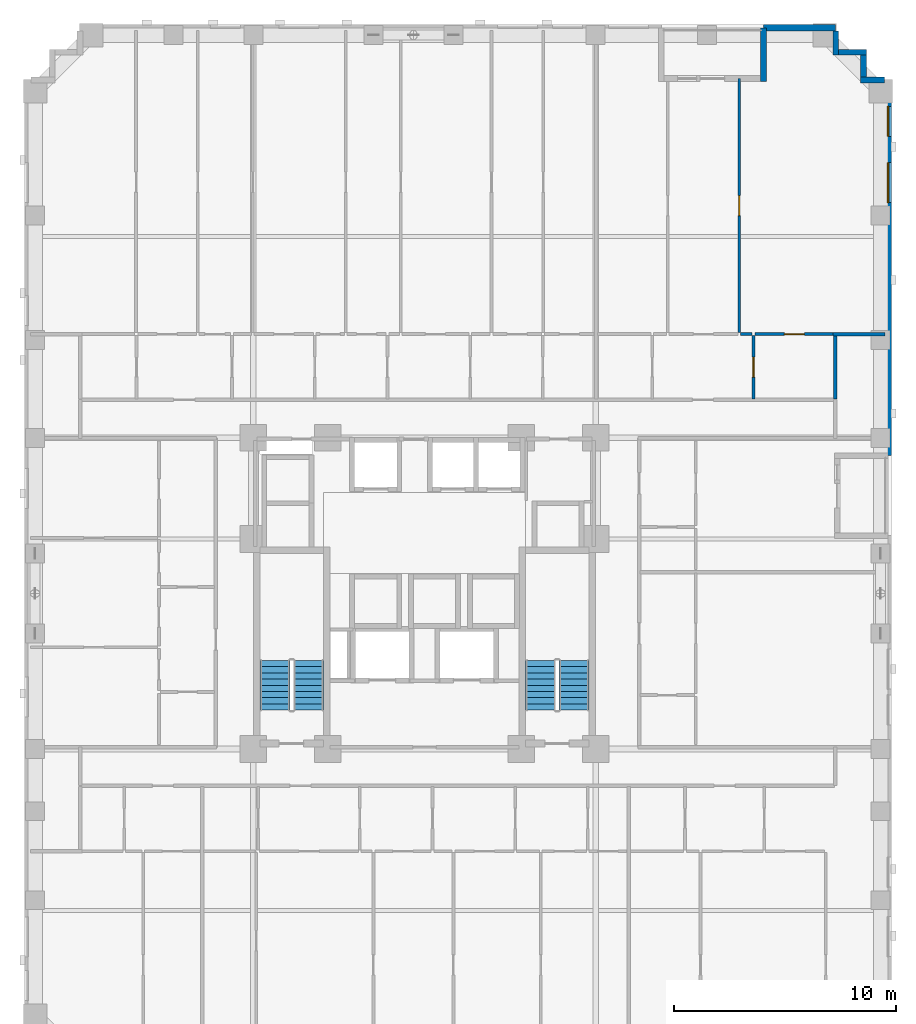
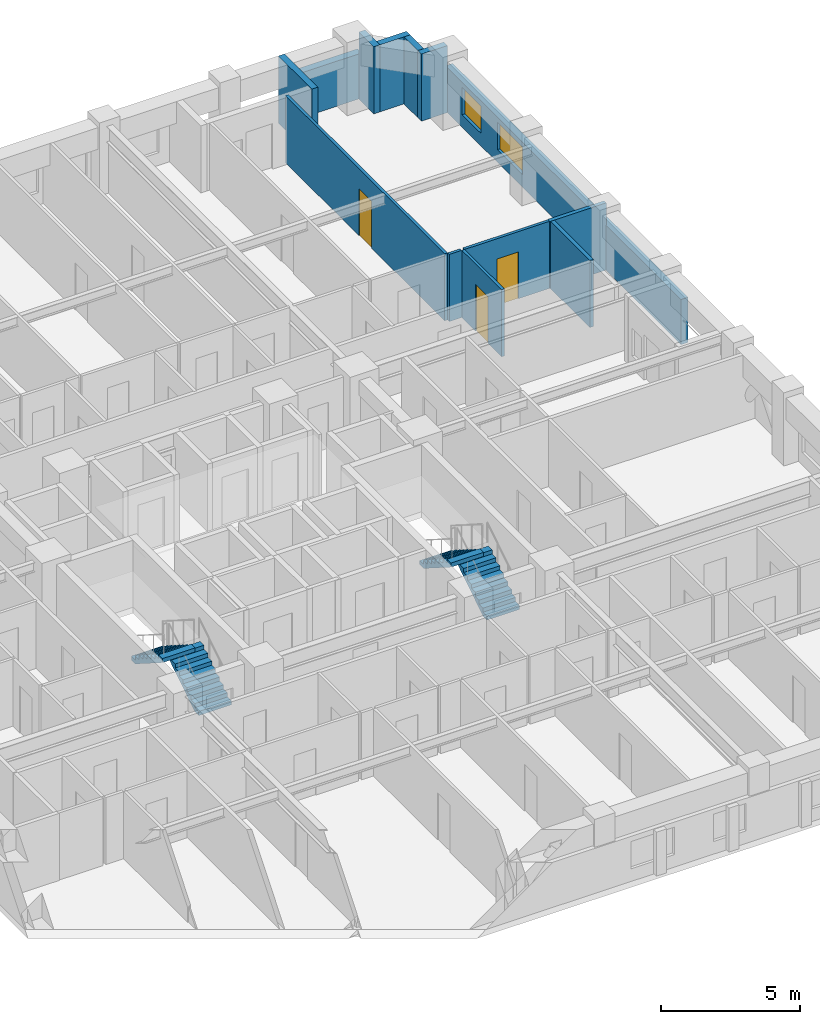
# One storey, part 9 of 14: 13 walls, 4 stair flights, 3 doors, 2 windows, 5 openings, 2 elements without a shape of their own.
"""IFC4 building model written with IfcOpenShell, lengths in metres."""

import ifcopenshell
import ifcopenshell.guid

model = None  # the IFC model being written
_history = None  # IfcOwnerHistory: only IFC2X3 demands one
_inside = {}  # id of a spatial element -> (the spatial element, [elements in it])
_under = {}  # id of a project, library or spatial element -> (it, [spatial elements below it])
_declared = {}  # id of a project -> (the project, [libraries it declares])
_typed = {}  # id of a type object -> (the type object, [elements of that type])
_made_of = {}  # id of a material, layer set ... -> (it, [elements and type objects made of it])


def new_model(schema):
    """Start an empty IFC model of exactly this schema.

    Asked for "IFC4X3", IfcOpenShell would pick the latest addendum, in which some entities
    have other attributes; the version numbers below select the first issue.
    IFC2X3 requires an IfcOwnerHistory on every rooted entity: one is made here for all.
    """
    global model, _history
    if schema == "IFC4X3":
        model = ifcopenshell.file(schema_version=(4, 3, 0, 0))
    else:
        model = ifcopenshell.file(schema=schema)
    _inside.clear()
    _under.clear()
    _declared.clear()
    _typed.clear()
    _made_of.clear()
    _history = None
    if model.schema == "IFC2X3":
        org = make("IfcOrganization", Name="unknown")
        user = make(
            "IfcPersonAndOrganization",
            ThePerson=make("IfcPerson", FamilyName="unknown"),
            TheOrganization=org,
        )
        app = make(
            "IfcApplication",
            ApplicationDeveloper=org,
            Version="unknown",
            ApplicationFullName="unknown",
            ApplicationIdentifier="unknown",
        )
        _history = make(
            "IfcOwnerHistory",
            OwningUser=user,
            OwningApplication=app,
            ChangeAction="ADDED",
            CreationDate=0,
        )
    return model


def make(cls, **values):
    """One entity of the class cls with the attributes given. An attribute that is None is left unset."""
    return model.create_entity(
        cls, **{name: value for name, value in values.items() if value is not None}
    )


def rooted(cls, **values):
    """An entity with a GlobalId (a new one), such as an element, a storey or a relation."""
    return make(cls, GlobalId=ifcopenshell.guid.new(), OwnerHistory=_history, **values)


def si_unit(unit_type, name, prefix=None):
    """IfcSIUnit, for example si_unit("LENGTHUNIT", "METRE", prefix="MILLI")."""
    return make("IfcSIUnit", UnitType=unit_type, Prefix=prefix, Name=name)


def derived_unit(unit_type, elements):
    """IfcDerivedUnit: a product of units, each with its exponent."""
    return make(
        "IfcDerivedUnit",
        Elements=[
            make("IfcDerivedUnitElement", Unit=unit, Exponent=power)
            for unit, power in elements
        ],
        UnitType=unit_type,
    )


def assignment(units):
    """IfcUnitAssignment: the units of a project."""
    return None if units is None else make("IfcUnitAssignment", Units=units)


def point(xyz):
    """IfcCartesianPoint."""
    return None if xyz is None else make("IfcCartesianPoint", Coordinates=xyz)


def direction(xyz):
    """IfcDirection."""
    return None if xyz is None else make("IfcDirection", DirectionRatios=xyz)


def frame(location, z_axis=None, x_axis=None):
    """IfcAxis2Placement3D, a coordinate frame: its origin and axes. An axis left out is left unset."""
    return make(
        "IfcAxis2Placement3D",
        Location=point(location),
        Axis=direction(z_axis),
        RefDirection=direction(x_axis),
    )


def frame_2d(location, x_axis=None):
    """IfcAxis2Placement2D, a coordinate frame in the plane: its origin and x axis."""
    return make(
        "IfcAxis2Placement2D", Location=point(location), RefDirection=direction(x_axis)
    )


def origin():
    """The frame at (0, 0, 0) with its axes left unset."""
    return frame((0.0, 0.0, 0.0))


def place(relative_to, where):
    """IfcLocalPlacement: puts the frame where relative to a parent placement (None: the world)."""
    return make(
        "IfcLocalPlacement", PlacementRelTo=relative_to, RelativePlacement=where
    )


def context(
    kind, dimensions, precision=None, world=None, true_north=None, identifier=None
):
    """IfcGeometricRepresentationContext, for example the 3D "Model" context."""
    return make(
        "IfcGeometricRepresentationContext",
        ContextIdentifier=identifier,
        ContextType=kind,
        CoordinateSpaceDimension=dimensions,
        Precision=precision,
        WorldCoordinateSystem=world,
        TrueNorth=true_north,
    )


def subcontext(parent, identifier, kind, view, scale=None):
    """IfcGeometricRepresentationSubContext, for example "Body" below "Model"."""
    return make(
        "IfcGeometricRepresentationSubContext",
        ContextIdentifier=identifier,
        ContextType=kind,
        ParentContext=parent,
        TargetScale=scale,
        TargetView=view,
    )


def project(units=None, contexts=None):
    """IfcProject with its units and contexts."""
    return rooted(
        "IfcProject",
        Name="project",
        RepresentationContexts=contexts,
        UnitsInContext=assignment(units),
    )


def spatial(cls, under=None, at=None, **own):
    """A site, building, storey or space (cls), placed at a placement, below another one or the project."""
    s = rooted(cls, ObjectPlacement=at, **own)
    if under is not None:
        _under.setdefault(under.id(), (under, []))[1].append(s)
    return s


def polyline(points):
    """IfcPolyline through the points."""
    return make("IfcPolyline", Points=[point(p) for p in points])


def profile(cls, at=None, kind="AREA", **sizes):
    """A parametric profile (cls). Its sizes go by their IFC names, for example OverallWidth=200.0."""
    return make(cls, ProfileType=kind, Position=at, **sizes)


def rectangle(**sizes):
    """IfcRectangleProfileDef."""
    return profile("IfcRectangleProfileDef", **sizes)


def outline(outer, holes=None, kind="AREA"):
    """IfcArbitraryClosedProfileDef: a profile drawn as a closed curve; with holes, ...WithVoids."""
    if holes is None:
        return make("IfcArbitraryClosedProfileDef", ProfileType=kind, OuterCurve=outer)
    return make(
        "IfcArbitraryProfileDefWithVoids",
        ProfileType=kind,
        OuterCurve=outer,
        InnerCurves=holes,
    )


def extrude(swept, where, along, depth):
    """IfcExtrudedAreaSolid: the profile swept, set in the frame where, extruded along a direction by depth."""
    return make(
        "IfcExtrudedAreaSolid",
        SweptArea=swept,
        Position=where,
        ExtrudedDirection=direction(along),
        Depth=depth,
    )


def shape(context_of_items, identifier, shape_type, items):
    """IfcShapeRepresentation: the items that make up one representation, for example the "Body"."""
    return make(
        "IfcShapeRepresentation",
        ContextOfItems=context_of_items,
        RepresentationIdentifier=identifier,
        RepresentationType=shape_type,
        Items=items,
    )


def material(Name=None, Category=None):
    """IfcMaterial."""
    return make("IfcMaterial", Name=Name, Category=Category)


def layer(
    of_material, thickness, ventilated=None, Name=None, Category=None, Priority=None
):
    """IfcMaterialLayer: one layer of a wall or slab, of a material (None: an air gap)."""
    return make(
        "IfcMaterialLayer",
        Material=of_material,
        LayerThickness=thickness,
        IsVentilated=ventilated,
        Name=Name,
        Category=Category,
        Priority=Priority,
    )


def layer_set(layers, Name=None):
    """IfcMaterialLayerSet."""
    return make("IfcMaterialLayerSet", MaterialLayers=layers, LayerSetName=Name)


def made_of(thing, what):
    """Note that an element or type object is made of a material, layer set ...; save() writes the relation."""
    if what is not None:
        _made_of.setdefault(what.id(), (what, []))[1].append(thing)
    return thing


def type_object(cls, material=None, **own):
    """A type object (cls), such as IfcWallType, which elements share."""
    return made_of(rooted(cls, **own), material)


def element(
    cls,
    number,
    at=None,
    inside=None,
    cuts=None,
    type_object=None,
    material=None,
    context=None,
    identifier="Body",
    shape_type=None,
    held_by="IfcProductDefinitionShape",
    body=None,
    shapes=None,
    **own,
):
    """One element of the class cls, such as IfcWall. Its Tag is "e" and its number.

    at: its placement. inside: the storey or other place that contains it. cuts: it is an
    opening in that element (IfcRelVoidsElement). A single representation is given by context,
    identifier, shape_type and body (its items); several are given by shapes. held_by: the class
    of the entity that holds the representations. save() writes the other relations.
    """
    e = rooted(cls, Tag="e%d" % number, ObjectPlacement=at, **own)
    if body is not None:
        shapes = [shape(context, identifier, shape_type, body)]
    if shapes is not None:
        e.Representation = make(held_by, Representations=shapes)
    if inside is not None:
        _inside.setdefault(inside.id(), (inside, []))[1].append(e)
    if cuts is not None:
        rooted(
            "IfcRelVoidsElement", RelatingBuildingElement=cuts, RelatedOpeningElement=e
        )
    if type_object is not None:
        _typed.setdefault(type_object.id(), (type_object, []))[1].append(e)
    return made_of(e, material)


def fill(opening, filler):
    """IfcRelFillsElement: the door or window that sits in an opening."""
    return rooted(
        "IfcRelFillsElement",
        RelatingOpeningElement=opening,
        RelatedBuildingElement=filler,
    )


def aggregate(whole, parts):
    """IfcRelAggregates: a whole, such as a stair, and the parts it consists of."""
    return rooted("IfcRelAggregates", RelatingObject=whole, RelatedObjects=parts)


def save(model, path):
    """Write the relations noted so far, then the file.

    IfcRelAggregates (storeys below a building ...), IfcRelContainedInSpatialStructure (elements
    in a storey), IfcRelDefinesByType, IfcRelAssociatesMaterial and IfcRelDeclares: one each for
    every whole, place, type object, material and project.
    """
    for whole, parts in _under.values():
        aggregate(whole, parts)
    for where, things in _inside.values():
        rooted(
            "IfcRelContainedInSpatialStructure",
            RelatedElements=things,
            RelatingStructure=where,
        )
    for kind, things in _typed.values():
        rooted("IfcRelDefinesByType", RelatedObjects=things, RelatingType=kind)
    for what, things in _made_of.values():
        rooted("IfcRelAssociatesMaterial", RelatedObjects=things, RelatingMaterial=what)
    for by, libraries in _declared.values():
        rooted("IfcRelDeclares", RelatingContext=by, RelatedDefinitions=libraries)
    model.write(path)


model = new_model("IFC4")

# Units and contexts
model_context = context("Model", 3, precision=1e-05, world=origin(), true_north=direction((0.0, 1.0)))
body_context = subcontext(model_context, "Body", "Model", "MODEL_VIEW")
ifc_project = project(units=[si_unit("LENGTHUNIT", "METRE"), si_unit("AREAUNIT", "SQUARE_METRE"), si_unit("VOLUMEUNIT", "CUBIC_METRE"), si_unit("PLANEANGLEUNIT", "RADIAN"), si_unit("MASSUNIT", "GRAM", prefix="KILO"), derived_unit("THERMALTRANSMITTANCEUNIT", [(si_unit("MASSUNIT", "GRAM", prefix="KILO"), 1), (si_unit("TIMEUNIT", "SECOND"), -3), (si_unit("THERMODYNAMICTEMPERATUREUNIT", "KELVIN"), -1)])], contexts=[model_context])

# Site, building, storey
site_placement = place(None, origin())
site = spatial("IfcSite", under=ifc_project, at=site_placement, CompositionType="ELEMENT")
building_placement = place(site_placement, origin())
building = spatial("IfcBuilding", under=site, at=building_placement, Name="Korrvale Station Residences", CompositionType="ELEMENT")
storey_placement = place(building_placement, frame((0.0, 0.0, 48.199951171875)))
storey = spatial("IfcBuildingStorey", under=building, at=storey_placement, Name="L12", CompositionType="ELEMENT", Elevation=48.199951171875)

# Walls
ifc_material_1 = material(Name="Precast concrete C45/55", Category="concrete")
ifc_layer_1 = layer(ifc_material_1, 0.260009765625, Name="Precast concrete C45/55")
ifc_layer_set_1 = layer_set([ifc_layer_1], Name="Precast concrete C45/55")
wall_type_1 = type_object("IfcWallType", Name="WAL-EXT-LOG260", PredefinedType="SOLIDWALL", material=ifc_layer_set_1)
wall_1_placement = place(storey_placement, frame((40.75, 45.0400390625, 0.0), z_axis=(0.0, 0.0, 1.0), x_axis=(0.0, 1.0, 0.0)))
element("IfcWall", 1, at=wall_1_placement, inside=storey, type_object=wall_type_1, Name="L12 Recessed Loggia Wall BAL-L12-N1-R", PredefinedType="SOLIDWALL", context=body_context, shape_type="SweptSolid", body=[
    extrude(rectangle(XDim=2.39990234375, YDim=0.260009765625, at=frame_2d((1.199951171875, 0.0))), origin(), (0.0, 0.0, 1.0), 2.93994140625),
])
wall_2_placement = place(storey_placement, frame((44.0, 47.298095703125, 0.0), z_axis=(0.0, 0.0, 1.0), x_axis=(0.0, -1.0, 0.0)))
element("IfcWall", 2, at=wall_2_placement, inside=storey, type_object=wall_type_1, Name="L12 Serrated Corner Precast Step NE-1", PredefinedType="SOLIDWALL", context=body_context, shape_type="SweptSolid", body=[
    extrude(rectangle(XDim=1.078125, YDim=0.260009765625, at=frame_2d((0.5390625, 0.0))), origin(), (0.0, 0.0, 1.0), 2.93994140625),
])
wall_3_placement = place(storey_placement, frame((44.132080078125, 46.35009765625, 0.0), z_axis=(0.0, 0.0, 1.0), x_axis=(1.0, 0.0, 0.0)))
element("IfcWall", 3, at=wall_3_placement, inside=storey, type_object=wall_type_1, Name="L12 Serrated Corner Precast Step NE-2", PredefinedType="SOLIDWALL", context=body_context, shape_type="SweptSolid", body=[
    extrude(rectangle(XDim=1.247802734375, YDim=0.260009765625, at=frame_2d((0.6240234375, 0.0))), origin(), (0.0, 0.0, 1.0), 2.93994140625),
])
wall_4_placement = place(storey_placement, frame((45.25, 46.218017578125, 0.0), z_axis=(0.0, 0.0, 1.0), x_axis=(0.0, -1.0, 0.0)))
element("IfcWall", 4, at=wall_4_placement, inside=storey, type_object=wall_type_1, Name="L12 Serrated Corner Precast Step NE-3", PredefinedType="SOLIDWALL", context=body_context, shape_type="SweptSolid", body=[
    extrude(rectangle(XDim=0.986083984375, YDim=0.260009765625, at=frame_2d((0.4931640625, 0.0))), origin(), (0.0, 0.0, 1.0), 2.93994140625),
])
wall_5_placement = place(storey_placement, frame((45.1201171875, 45.10009765625, 0.0), z_axis=(0.0, 0.0, 1.0), x_axis=(1.0, 0.0, 0.0)))
element("IfcWall", 5, at=wall_5_placement, inside=storey, type_object=wall_type_1, Name="L12 Serrated Corner Precast Step NE-4", PredefinedType="SOLIDWALL", context=body_context, shape_type="SweptSolid", body=[
    extrude(rectangle(XDim=1.077880859375, YDim=0.260009765625, at=frame_2d((0.5390625, 0.0))), origin(), (0.0, 0.0, 1.0), 2.93994140625),
])
ifc_layer_2 = layer(ifc_material_1, 0.300048828125, Name="Precast concrete C45/55")
ifc_layer_set_2 = layer_set([ifc_layer_2], Name="Precast concrete C45/55")
wall_type_2 = type_object("IfcWallType", Name="WAL-EXT-PC300", PredefinedType="SOLIDWALL", material=ifc_layer_set_2)
wall_6_placement = place(storey_placement, frame((40.75, 47.449951171875, 0.0), z_axis=(0.0, 0.0, 1.0), x_axis=(1.0, 0.0, 0.0)))
element("IfcWall", 6, at=wall_6_placement, inside=storey, type_object=wall_type_2, Name="L12 North Exterior Precast Wall 2", PredefinedType="SOLIDWALL", context=body_context, shape_type="SweptSolid", body=[
    extrude(rectangle(XDim=3.25, YDim=0.300048828125, at=frame_2d((1.625, 0.0))), origin(), (0.0, 0.0, 1.0), 1.97509765625),
])

# Wall, openings, windows
wall_7_placement = place(storey_placement, frame((46.35009765625, 45.10009765625, 0.0), z_axis=(0.0, 0.0, 1.0), x_axis=(0.0, -1.0, 0.0)))
wall_7 = element("IfcWall", 7, at=wall_7_placement, inside=storey, type_object=wall_type_2, Name="L12 East Exterior Precast Wall 1", PredefinedType="SOLIDWALL", context=body_context, shape_type="SweptSolid", body=[
    extrude(rectangle(XDim=16.900146484375, YDim=0.300048828125, at=frame_2d((8.4501953125, 0.0))), origin(), (0.0, 0.0, 1.0), 1.97509765625),
])
opening_1_placement = place(wall_7_placement, frame((3.715087890625, 0.0, 0.550048828125)))
opening_1 = element("IfcOpeningElement", 8, at=opening_1_placement, cuts=wall_7, Name="Opening W-09", PredefinedType="OPENING", context=body_context, shape_type="SweptSolid", body=[
    extrude(rectangle(XDim=1.800048828125, YDim=1.199951171875, at=frame_2d((0.89990234375, 0.60009765625))), frame((0.0, 0.16015625, 0.0), z_axis=(0.0, -1.0, 0.0), x_axis=(1.0, 0.0, 0.0)), (0.0, 0.0, 1.0), 0.320068359375),
])
opening_2_placement = place(wall_7_placement, frame((1.18505859375, 0.0, 0.550048828125)))
opening_2 = element("IfcOpeningElement", 9, at=opening_2_placement, cuts=wall_7, Name="Opening W-10", PredefinedType="OPENING", context=body_context, shape_type="SweptSolid", body=[
    extrude(rectangle(XDim=1.35009765625, YDim=1.199951171875, at=frame_2d((0.675048828125, 0.60009765625))), frame((0.0, 0.16015625, 0.0), z_axis=(0.0, -1.0, 0.0), x_axis=(1.0, 0.0, 0.0)), (0.0, 0.0, 1.0), 0.320068359375),
])
ifc_material_2 = material(Name="Thermally broken aluminium frame with triple low-e glazing", Category="aluminium")
window_type_1 = type_object("IfcWindowType", Name="WIN-W09", PartitioningType="DOUBLE_PANEL_VERTICAL", PredefinedType="WINDOW", material=ifc_material_2)
window_1_placement = place(opening_1_placement, origin())
window_1 = element("IfcWindow", 10, at=window_1_placement, inside=storey, type_object=window_type_1, Name="L12 Punched Window 19", OverallHeight=1.199951171875, OverallWidth=1.800048828125, PartitioningType="DOUBLE_PANEL_VERTICAL", PredefinedType="WINDOW", context=body_context, shape_type="SweptSolid", body=[
    extrude(rectangle(XDim=1.800048828125, YDim=1.199951171875, at=frame_2d((0.89990234375, 0.60009765625))), frame((0.0, 0.030029296875, 0.0), z_axis=(0.0, -1.0, 0.0), x_axis=(1.0, 0.0, 0.0)), (0.0, 0.0, 1.0), 0.06005859375),
])
fill(opening_1, window_1)
window_type_2 = type_object("IfcWindowType", Name="WIN-W10", PartitioningType="SINGLE_PANEL", PredefinedType="WINDOW", material=ifc_material_2)
window_2_placement = place(opening_2_placement, origin())
window_2 = element("IfcWindow", 11, at=window_2_placement, inside=storey, type_object=window_type_2, Name="L12 Punched Window 20", OverallHeight=1.199951171875, OverallWidth=1.35009765625, PartitioningType="SINGLE_PANEL", PredefinedType="WINDOW", context=body_context, shape_type="SweptSolid", body=[
    extrude(rectangle(XDim=1.35009765625, YDim=1.199951171875, at=frame_2d((0.675048828125, 0.60009765625))), frame((0.0, 0.030029296875, 0.0), z_axis=(0.0, -1.0, 0.0), x_axis=(1.0, 0.0, 0.0)), (0.0, 0.0, 1.0), 0.06005859375),
])
fill(opening_2, window_2)

# Wall, opening, door
ifc_material_3 = material(Name="Acoustic steel-stud gypsum board partition", Category="steel")
ifc_layer_3 = layer(ifc_material_3, 0.1201171875, Name="Acoustic steel-stud gypsum board partition")
ifc_layer_set_3 = layer_set([ifc_layer_3], Name="Acoustic steel-stud gypsum board partition")
wall_type_3 = type_object("IfcWallType", Name="WAL-PART-125", PredefinedType="PARTITIONING", material=ifc_layer_set_3)
wall_8_placement = place(storey_placement, frame((40.300048828125, 30.760009765625, 0.0), z_axis=(0.0, 0.0, 1.0), x_axis=(0.0, 1.0, 0.0)))
wall_8 = element("IfcWall", 12, at=wall_8_placement, inside=storey, type_object=wall_type_3, Name="L12 Suite Partition U05-V12", PredefinedType="PARTITIONING", context=body_context, shape_type="SweptSolid", body=[
    extrude(rectangle(XDim=2.85009765625, YDim=0.1201171875, at=frame_2d((1.425048828125, 0.0))), origin(), (0.0, 0.0, 1.0), 2.93994140625),
])
opening_3_placement = place(wall_8_placement, frame((0.97509765625, 0.0, 0.0)))
opening_3 = element("IfcOpeningElement", 13, at=opening_3_placement, cuts=wall_8, Name="Opening DI-900", PredefinedType="OPENING", context=body_context, shape_type="SweptSolid", body=[
    extrude(rectangle(XDim=0.89990234375, YDim=2.050048828125, at=frame_2d((0.449951171875, 1.02490234375))), frame((0.0, 0.070068359375, 0.0), z_axis=(0.0, -1.0, 0.0), x_axis=(1.0, 0.0, 0.0)), (0.0, 0.0, 1.0), 0.14013671875),
])
ifc_material_4 = material(Name="Painted solid-core timber interior room door", Category="wood")
door_type = type_object("IfcDoorType", Name="DR-INT-900", OperationType="NOTDEFINED", PredefinedType="DOOR", material=ifc_material_4)
door_1_placement = place(opening_3_placement, origin())
door_1 = element("IfcDoor", 14, at=door_1_placement, inside=storey, type_object=door_type, Name="L12 Studio Apartment L12-U05 Kitchen Door", OperationType="SINGLE_SWING_RIGHT", OverallHeight=2.050048828125, OverallWidth=0.89990234375, PredefinedType="DOOR", context=body_context, shape_type="SweptSolid", body=[
    extrude(rectangle(XDim=0.89990234375, YDim=2.050048828125, at=frame_2d((0.449951171875, 1.02490234375))), frame((0.0, 0.02490234375, 0.0), z_axis=(0.0, -1.0, 0.0), x_axis=(1.0, 0.0, 0.0)), (0.0, 0.0, 1.0), 0.050048828125),
])
fill(opening_3, door_1)

# Wall
wall_9_placement = place(storey_placement, frame((39.719970703125, 33.669921875, 0.0), z_axis=(0.0, 0.0, 1.0), x_axis=(1.0, 0.0, 0.0)))
element("IfcWall", 15, at=wall_9_placement, inside=storey, type_object=wall_type_3, Name="L12 Suite Partition U05-H15", PredefinedType="PARTITIONING", context=body_context, shape_type="SweptSolid", body=[
    extrude(rectangle(XDim=0.52001953125, YDim=0.1201171875, at=frame_2d((0.260009765625, 0.0))), origin(), (0.0, 0.0, 1.0), 2.93994140625),
])

# Wall, opening, door
wall_10_placement = place(storey_placement, frame((40.360107421875, 33.669921875, 0.0), z_axis=(0.0, 0.0, 1.0), x_axis=(1.0, 0.0, 0.0)))
wall_10 = element("IfcWall", 16, at=wall_10_placement, inside=storey, type_object=wall_type_3, Name="L12 Suite Partition U05-H25", PredefinedType="PARTITIONING", context=body_context, shape_type="SweptSolid", body=[
    extrude(rectangle(XDim=3.559814453125, YDim=0.1201171875, at=frame_2d((1.77978515625, 0.0))), origin(), (0.0, 0.0, 1.0), 2.93994140625),
])
opening_4_placement = place(wall_10_placement, frame((1.330078125, 0.0, 0.0)))
opening_4 = element("IfcOpeningElement", 17, at=opening_4_placement, cuts=wall_10, Name="Opening DI-900", PredefinedType="OPENING", context=body_context, shape_type="SweptSolid", body=[
    extrude(rectangle(XDim=0.89990234375, YDim=2.050048828125, at=frame_2d((0.449951171875, 1.02490234375))), frame((0.0, 0.070068359375, 0.0), z_axis=(0.0, -1.0, 0.0), x_axis=(1.0, 0.0, 0.0)), (0.0, 0.0, 1.0), 0.14013671875),
])
door_2_placement = place(opening_4_placement, origin())
door_2 = element("IfcDoor", 18, at=door_2_placement, inside=storey, type_object=door_type, Name="L12 Studio Apartment L12-U05 Utility and Laundry Room Door", OperationType="SINGLE_SWING_RIGHT", OverallHeight=2.050048828125, OverallWidth=0.89990234375, PredefinedType="DOOR", context=body_context, shape_type="SweptSolid", body=[
    extrude(rectangle(XDim=0.89990234375, YDim=2.050048828125, at=frame_2d((0.449951171875, 1.02490234375))), frame((0.0, 0.02490234375, 0.0), z_axis=(0.0, -1.0, 0.0), x_axis=(1.0, 0.0, 0.0)), (0.0, 0.0, 1.0), 0.050048828125),
])
fill(opening_4, door_2)

wall_11_placement = place(storey_placement, frame((39.659912109375, 33.72998046875, 0.0), z_axis=(0.0, 0.0, 1.0), x_axis=(0.0, 1.0, 0.0)))
wall_11 = element("IfcWall", 19, at=wall_11_placement, inside=storey, type_object=wall_type_3, Name="L12 Suite Partition U05-V45", PredefinedType="PARTITIONING", context=body_context, shape_type="SweptSolid", body=[
    extrude(rectangle(XDim=11.43994140625, YDim=0.1201171875, at=frame_2d((5.719970703125, 0.0))), origin(), (0.0, 0.0, 1.0), 2.93994140625),
])
opening_5_placement = place(wall_11_placement, frame((5.27001953125, 0.0, 0.0)))
opening_5 = element("IfcOpeningElement", 20, at=opening_5_placement, cuts=wall_11, Name="Opening DI-900", PredefinedType="OPENING", context=body_context, shape_type="SweptSolid", body=[
    extrude(rectangle(XDim=0.89990234375, YDim=2.050048828125, at=frame_2d((0.449951171875, 1.02490234375))), frame((0.0, 0.070068359375, 0.0), z_axis=(0.0, -1.0, 0.0), x_axis=(1.0, 0.0, 0.0)), (0.0, 0.0, 1.0), 0.14013671875),
])
door_3_placement = place(opening_5_placement, origin())
door_3 = element("IfcDoor", 21, at=door_3_placement, inside=storey, type_object=door_type, Name="L12 Studio Apartment L12-U05 Formal Dining Room Door", OperationType="SINGLE_SWING_RIGHT", OverallHeight=2.050048828125, OverallWidth=0.89990234375, PredefinedType="DOOR", context=body_context, shape_type="SweptSolid", body=[
    extrude(rectangle(XDim=0.89990234375, YDim=2.050048828125, at=frame_2d((0.449951171875, 1.02490234375))), frame((0.0, 0.02490234375, 0.0), z_axis=(0.0, -1.0, 0.0), x_axis=(1.0, 0.0, 0.0)), (0.0, 0.0, 1.0), 0.050048828125),
])
fill(opening_5, door_3)

# Walls
ifc_material_5 = material(Name="Fire-rated twin-stud gypsum and mineral wool shaftwall assembly", Category="gypsum")
ifc_layer_4 = layer(ifc_material_5, 0.159912109375, Name="Fire-rated twin-stud gypsum and mineral wool shaftwall assembly")
ifc_layer_set_4 = layer_set([ifc_layer_4], Name="Fire-rated twin-stud gypsum and mineral wool shaftwall assembly")
wall_type_4 = type_object("IfcWallType", Name="WAL-PART-200", PredefinedType="PARTITIONING", material=ifc_layer_set_4)
wall_12_placement = place(storey_placement, frame((43.8798828125, 33.669921875, 0.0), z_axis=(0.0, 0.0, 1.0), x_axis=(1.0, 0.0, 0.0)))
element("IfcWall", 22, at=wall_12_placement, inside=storey, type_object=wall_type_4, Name="L12 Corner Step Wall U05-R", PredefinedType="PARTITIONING", context=body_context, shape_type="SweptSolid", body=[
    extrude(rectangle(XDim=2.340087890625, YDim=0.159912109375, at=frame_2d((1.169921875, 0.0))), origin(), (0.0, 0.0, 1.0), 2.93994140625),
])
wall_13_placement = place(storey_placement, frame((43.97998046875, 30.760009765625, 0.0), z_axis=(0.0, 0.0, 1.0), x_axis=(0.0, 1.0, 0.0)))
element("IfcWall", 23, at=wall_13_placement, inside=storey, type_object=wall_type_4, Name="L12 Corner Step Cheek U05-R", PredefinedType="PARTITIONING", context=body_context, shape_type="SweptSolid", body=[
    extrude(rectangle(XDim=2.909912109375, YDim=0.159912109375, at=frame_2d((1.455078125, 0.0))), origin(), (0.0, 0.0, 1.0), 2.93994140625),
])

# Stair, stair flights
ifc_material_6 = material(Name="Concrete C50/60", Category="concrete")
stair_type = type_object("IfcStairType", Name="STR-DL-1350-18R-1778", PredefinedType="HALF_TURN_STAIR", material=ifc_material_6)
stair_1_placement = place(storey_placement, origin())
stair_1 = element("IfcStair", 24, at=stair_1_placement, inside=storey, type_object=stair_type, Name="L12 Exit Stair 1", PredefinedType="HALF_TURN_STAIR")
stair_flight_type = type_object("IfcStairFlightType", Name="FLT-DL-1350-18R-1778", PredefinedType="STRAIGHT", material=ifc_material_6)
stair_flight_1_placement = place(storey_placement, frame((20.27490234375, 16.75, 0.0), z_axis=(0.0, 0.0, 1.0), x_axis=(0.0, 1.0, 0.0)))
stair_flight_1 = element("IfcStairFlight", 25, at=stair_flight_1_placement, type_object=stair_flight_type, Name="ST-1 flight 1", NumberOfRisers=9, NumberOfTreads=8, PredefinedType="STRAIGHT", RiserHeight=0.177777778, TreadLength=0.28, context=body_context, shape_type="SweptSolid", body=[
    extrude(outline(polyline([(0.0, 0.0), (0.0, 0.177734375), (0.280029296875, 0.177734375), (0.280029296875, 0.35546875), (0.56005859375, 0.35546875), (0.56005859375, 0.533447265625), (0.840087890625, 0.533447265625), (0.840087890625, 0.711181640625), (1.1201171875, 0.711181640625), (1.1201171875, 0.888916015625), (1.39990234375, 0.888916015625), (1.39990234375, 1.066650390625), (1.679931640625, 1.066650390625), (1.679931640625, 1.244384765625), (1.9599609375, 1.244384765625), (1.9599609375, 1.422119140625), (2.239990234375, 1.422119140625), (2.239990234375, 1.60009765625), (2.239990234375, 1.24462890625), (0.27978515625, 0.0), (0.0, 0.0)])), frame((0.0, 0.675048828125, 0.0), z_axis=(0.0, -1.0, 0.0), x_axis=(1.0, 0.0, 0.0)), (0.0, 0.0, 1.0), 1.35009765625),
])
stair_flight_2_placement = place(storey_placement, frame((18.77490234375, 18.989990234375, 1.60009765625), z_axis=(0.0, 0.0, 1.0), x_axis=(0.0, -1.0, 0.0)))
stair_flight_2 = element("IfcStairFlight", 26, at=stair_flight_2_placement, type_object=stair_flight_type, Name="ST-1 flight 2", NumberOfRisers=9, NumberOfTreads=8, PredefinedType="STRAIGHT", RiserHeight=0.177777778, TreadLength=0.28, context=body_context, shape_type="SweptSolid", body=[
    extrude(outline(polyline([(0.0, 0.0), (0.0, 0.177734375), (0.280029296875, 0.177734375), (0.280029296875, 0.35546875), (0.56005859375, 0.35546875), (0.56005859375, 0.533447265625), (0.840087890625, 0.533447265625), (0.840087890625, 0.711181640625), (1.1201171875, 0.711181640625), (1.1201171875, 0.888916015625), (1.39990234375, 0.888916015625), (1.39990234375, 1.066650390625), (1.679931640625, 1.066650390625), (1.679931640625, 1.244384765625), (1.9599609375, 1.244384765625), (1.9599609375, 1.422119140625), (2.239990234375, 1.422119140625), (2.239990234375, 1.60009765625), (2.239990234375, 1.24462890625), (0.27978515625, 0.0), (0.0, 0.0)])), frame((0.0, 0.675048828125, 0.0), z_axis=(0.0, -1.0, 0.0), x_axis=(1.0, 0.0, 0.0)), (0.0, 0.0, 1.0), 1.35009765625),
])
aggregate(stair_1, [stair_flight_1, stair_flight_2])

stair_2_placement = place(storey_placement, origin())
stair_2 = element("IfcStair", 27, at=stair_2_placement, inside=storey, type_object=stair_type, Name="L12 Exit Stair 2", PredefinedType="HALF_TURN_STAIR")
stair_flight_3_placement = place(storey_placement, frame((32.22509765625, 16.75, 0.0), z_axis=(0.0, 0.0, 1.0), x_axis=(0.0, 1.0, 0.0)))
stair_flight_3 = element("IfcStairFlight", 28, at=stair_flight_3_placement, type_object=stair_flight_type, Name="ST-2 flight 1", NumberOfRisers=9, NumberOfTreads=8, PredefinedType="STRAIGHT", RiserHeight=0.177777778, TreadLength=0.28, context=body_context, shape_type="SweptSolid", body=[
    extrude(outline(polyline([(0.0, 0.0), (0.0, 0.177734375), (0.280029296875, 0.177734375), (0.280029296875, 0.35546875), (0.56005859375, 0.35546875), (0.56005859375, 0.533447265625), (0.840087890625, 0.533447265625), (0.840087890625, 0.711181640625), (1.1201171875, 0.711181640625), (1.1201171875, 0.888916015625), (1.39990234375, 0.888916015625), (1.39990234375, 1.066650390625), (1.679931640625, 1.066650390625), (1.679931640625, 1.244384765625), (1.9599609375, 1.244384765625), (1.9599609375, 1.422119140625), (2.239990234375, 1.422119140625), (2.239990234375, 1.60009765625), (2.239990234375, 1.24462890625), (0.27978515625, 0.0), (0.0, 0.0)])), frame((0.0, 0.675048828125, 0.0), z_axis=(0.0, -1.0, 0.0), x_axis=(1.0, 0.0, 0.0)), (0.0, 0.0, 1.0), 1.35009765625),
])
stair_flight_4_placement = place(storey_placement, frame((30.72509765625, 18.989990234375, 1.60009765625), z_axis=(0.0, 0.0, 1.0), x_axis=(0.0, -1.0, 0.0)))
stair_flight_4 = element("IfcStairFlight", 29, at=stair_flight_4_placement, type_object=stair_flight_type, Name="ST-2 flight 2", NumberOfRisers=9, NumberOfTreads=8, PredefinedType="STRAIGHT", RiserHeight=0.177777778, TreadLength=0.28, context=body_context, shape_type="SweptSolid", body=[
    extrude(outline(polyline([(0.0, 0.0), (0.0, 0.177734375), (0.280029296875, 0.177734375), (0.280029296875, 0.35546875), (0.56005859375, 0.35546875), (0.56005859375, 0.533447265625), (0.840087890625, 0.533447265625), (0.840087890625, 0.711181640625), (1.1201171875, 0.711181640625), (1.1201171875, 0.888916015625), (1.39990234375, 0.888916015625), (1.39990234375, 1.066650390625), (1.679931640625, 1.066650390625), (1.679931640625, 1.244384765625), (1.9599609375, 1.244384765625), (1.9599609375, 1.422119140625), (2.239990234375, 1.422119140625), (2.239990234375, 1.60009765625), (2.239990234375, 1.24462890625), (0.27978515625, 0.0), (0.0, 0.0)])), frame((0.0, 0.675048828125, 0.0), z_axis=(0.0, -1.0, 0.0), x_axis=(1.0, 0.0, 0.0)), (0.0, 0.0, 1.0), 1.35009765625),
])
aggregate(stair_2, [stair_flight_3, stair_flight_4])

save(model, "model.ifc")
